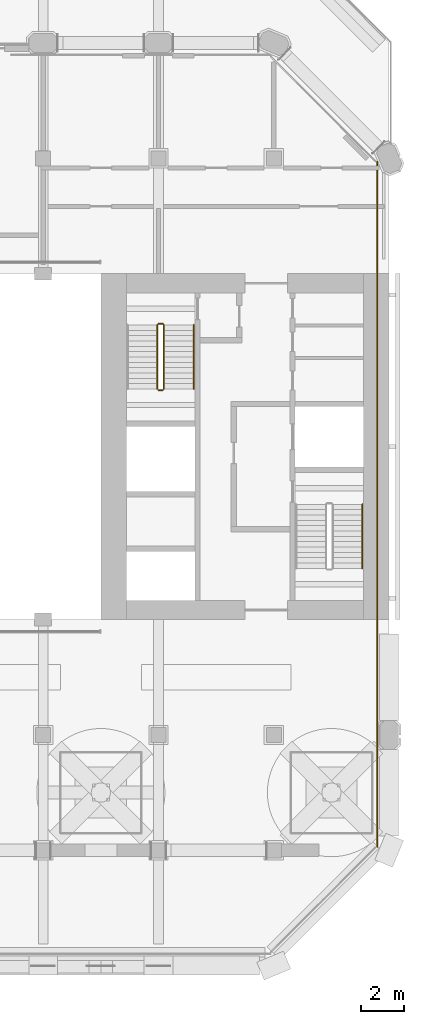
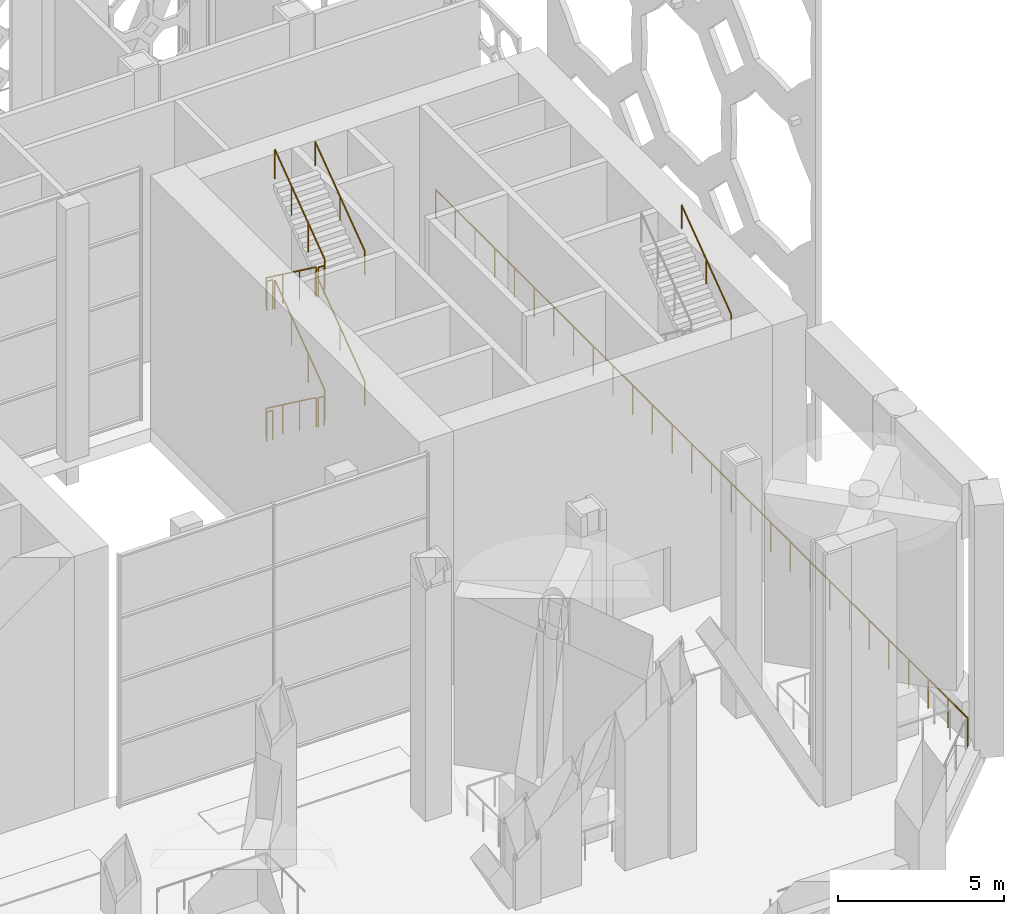
# One storey, part 25 of 28: 12 railings.
"""IFC4 building model written with IfcOpenShell, lengths in metres."""

from ifc_helpers import new_model, si_unit, direction, frame, origin, origin_2d, place, context, subcontext, project, spatial, circle, extrude, material, type_object, element, save


model = new_model("IFC4")

# Units and contexts
model_context = context("Model", 3, precision=1e-05, world=origin(), true_north=direction((0.0, 1.0)))
body_context = subcontext(model_context, "Body", "Model", "MODEL_VIEW")
ifc_project = project(units=[si_unit("LENGTHUNIT", "METRE"), si_unit("AREAUNIT", "SQUARE_METRE"), si_unit("VOLUMEUNIT", "CUBIC_METRE"), si_unit("PLANEANGLEUNIT", "RADIAN"), si_unit("MASSUNIT", "GRAM", prefix="KILO")], contexts=[model_context])

# Site, building, storey
site_placement = place(None, origin())
site = spatial("IfcSite", under=ifc_project, at=site_placement, CompositionType="ELEMENT")
building_placement = place(site_placement, origin())
building = spatial("IfcBuilding", under=site, at=building_placement, Name="Tabaq Tower and Sports Hall", CompositionType="ELEMENT")
storey_placement = place(building_placement, frame((0.0, 0.0, 233.5)))
storey = spatial("IfcBuildingStorey", under=building, at=storey_placement, Name="L59", CompositionType="ELEMENT", Elevation=233.5)

# Railings
ifc_material_1 = material(Name="Stainless steel S316 and laminated glass", Category="steel")
railing_type_1 = type_object("IfcRailingType", Name="Guard 1100 steel and glass", PredefinedType="GUARDRAIL", material=ifc_material_1)
railing_1_placement = place(storey_placement, frame((42.64990234375, 5.565673828125, 0.0)))
element("IfcRailing", 1, at=railing_1_placement, inside=storey, type_object=railing_type_1, Name="Guard L59 E", PredefinedType="GUARDRAIL", context=body_context, shape_type="SweptSolid", body=[
    extrude(circle(Radius=0.02490234375, at=origin_2d()), frame((0.0, 0.0, 1.0751953125), z_axis=(0.0, 1.0, 0.0), x_axis=(-1.0, 0.0, 0.0)), (0.0, 0.0, 1.0), 32.068603515625),
    extrude(circle(Radius=0.02001953125, at=origin_2d()), origin(), (0.0, 0.0, 1.0), 1.050048828125),
    extrude(circle(Radius=0.02001953125, at=origin_2d()), frame((0.0, 1.187744140625, 0.0)), (0.0, 0.0, 1.0), 1.050048828125),
    extrude(circle(Radius=0.02001953125, at=origin_2d()), frame((0.0, 2.37548828125, 0.0)), (0.0, 0.0, 1.0), 1.050048828125),
    extrude(circle(Radius=0.02001953125, at=origin_2d()), frame((0.0, 3.563232421875, 0.0)), (0.0, 0.0, 1.0), 1.050048828125),
    extrude(circle(Radius=0.02001953125, at=origin_2d()), frame((0.0, 4.7509765625, 0.0)), (0.0, 0.0, 1.0), 1.050048828125),
    extrude(circle(Radius=0.02001953125, at=origin_2d()), frame((0.0, 5.938720703125, 0.0)), (0.0, 0.0, 1.0), 1.050048828125),
    extrude(circle(Radius=0.02001953125, at=origin_2d()), frame((0.0, 7.12646484375, 0.0)), (0.0, 0.0, 1.0), 1.050048828125),
    extrude(circle(Radius=0.02001953125, at=origin_2d()), frame((0.0, 8.31396484375, 0.0)), (0.0, 0.0, 1.0), 1.050048828125),
    extrude(circle(Radius=0.02001953125, at=origin_2d()), frame((0.0, 9.501708984375, 0.0)), (0.0, 0.0, 1.0), 1.050048828125),
    extrude(circle(Radius=0.02001953125, at=origin_2d()), frame((0.0, 10.689453125, 0.0)), (0.0, 0.0, 1.0), 1.050048828125),
    extrude(circle(Radius=0.02001953125, at=origin_2d()), frame((0.0, 11.877197265625, 0.0)), (0.0, 0.0, 1.0), 1.050048828125),
    extrude(circle(Radius=0.02001953125, at=origin_2d()), frame((0.0, 13.06494140625, 0.0)), (0.0, 0.0, 1.0), 1.050048828125),
    extrude(circle(Radius=0.02001953125, at=origin_2d()), frame((0.0, 14.252685546875, 0.0)), (0.0, 0.0, 1.0), 1.050048828125),
    extrude(circle(Radius=0.02001953125, at=origin_2d()), frame((0.0, 15.4404296875, 0.0)), (0.0, 0.0, 1.0), 1.050048828125),
    extrude(circle(Radius=0.02001953125, at=origin_2d()), frame((0.0, 16.628173828125, 0.0)), (0.0, 0.0, 1.0), 1.050048828125),
    extrude(circle(Radius=0.02001953125, at=origin_2d()), frame((0.0, 17.81591796875, 0.0)), (0.0, 0.0, 1.0), 1.050048828125),
    extrude(circle(Radius=0.02001953125, at=origin_2d()), frame((0.0, 19.003662109375, 0.0)), (0.0, 0.0, 1.0), 1.050048828125),
    extrude(circle(Radius=0.02001953125, at=origin_2d()), frame((0.0, 20.19140625, 0.0)), (0.0, 0.0, 1.0), 1.050048828125),
    extrude(circle(Radius=0.02001953125, at=origin_2d()), frame((0.0, 21.379150390625, 0.0)), (0.0, 0.0, 1.0), 1.050048828125),
    extrude(circle(Radius=0.02001953125, at=origin_2d()), frame((0.0, 22.56689453125, 0.0)), (0.0, 0.0, 1.0), 1.050048828125),
    extrude(circle(Radius=0.02001953125, at=origin_2d()), frame((0.0, 23.754638671875, 0.0)), (0.0, 0.0, 1.0), 1.050048828125),
    extrude(circle(Radius=0.02001953125, at=origin_2d()), frame((0.0, 24.942138671875, 0.0)), (0.0, 0.0, 1.0), 1.050048828125),
    extrude(circle(Radius=0.02001953125, at=origin_2d()), frame((0.0, 26.1298828125, 0.0)), (0.0, 0.0, 1.0), 1.050048828125),
    extrude(circle(Radius=0.02001953125, at=origin_2d()), frame((0.0, 27.317626953125, 0.0)), (0.0, 0.0, 1.0), 1.050048828125),
    extrude(circle(Radius=0.02001953125, at=origin_2d()), frame((0.0, 28.50537109375, 0.0)), (0.0, 0.0, 1.0), 1.050048828125),
    extrude(circle(Radius=0.02001953125, at=origin_2d()), frame((0.0, 29.693115234375, 0.0)), (0.0, 0.0, 1.0), 1.050048828125),
    extrude(circle(Radius=0.02001953125, at=origin_2d()), frame((0.0, 30.880859375, 0.0)), (0.0, 0.0, 1.0), 1.050048828125),
    extrude(circle(Radius=0.02001953125, at=origin_2d()), frame((0.0, 32.068603515625, 0.0)), (0.0, 0.0, 1.0), 1.050048828125),
])
ifc_material_2 = material(Name="Stainless steel", Category="steel")
railing_type_2 = type_object("IfcRailingType", Name="Stair guard", PredefinedType="GUARDRAIL", material=ifc_material_2)
railing_2_placement = place(storey_placement, frame((32.35009765625, 30.0, 0.1845703125)))
element("IfcRailing", 2, at=railing_2_placement, inside=storey, type_object=railing_type_2, Name="L59 ST4 stair guard 1", PredefinedType="GUARDRAIL", context=body_context, shape_type="SweptSolid", body=[
    extrude(circle(Radius=0.02392578125, at=origin_2d()), frame((0.0, 0.0, 1.076171875), z_axis=(0.0, -0.804440004972, 0.594033903411), x_axis=(1.0, 0.0, 0.0)), (0.0, 0.0, 1.0), 3.729248046875),
    extrude(circle(Radius=0.02099609375, at=origin_2d()), origin(), (0.0, 0.0, 1.0), 1.052001953125),
    extrude(circle(Radius=0.02099609375, at=origin_2d()), frame((0.0, -1.0, 0.738525390625)), (0.0, 0.0, 1.0), 1.052001953125),
    extrude(circle(Radius=0.02099609375, at=origin_2d()), frame((0.0, -2.0, 1.476806640625)), (0.0, 0.0, 1.0), 1.052001953125),
    extrude(circle(Radius=0.02099609375, at=origin_2d()), frame((0.0, -3.0, 2.21533203125)), (0.0, 0.0, 1.0), 1.052001953125),
])
railing_3_placement = place(storey_placement, frame((32.39990234375, 26.949951171875, 2.39990234375)))
element("IfcRailing", 3, at=railing_3_placement, inside=storey, type_object=railing_type_2, Name="L59 ST4 stair guard 2", PredefinedType="GUARDRAIL", context=body_context, shape_type="SweptSolid", body=[
    extrude(circle(Radius=0.02392578125, at=origin_2d()), frame((0.0, 0.0, 1.076171875), z_axis=(1.0, 0.0, 0.0), x_axis=(0.0, 1.0, 0.0)), (0.0, 0.0, 1.0), 0.2001953125),
    extrude(circle(Radius=0.02099609375, at=origin_2d()), origin(), (0.0, 0.0, 1.0), 1.052001953125),
    extrude(circle(Radius=0.02099609375, at=origin_2d()), frame((0.2001953125, 0.0, 0.0)), (0.0, 0.0, 1.0), 1.052001953125),
])
railing_4_placement = place(storey_placement, frame((32.64990234375, 27.0, 2.584716796875)))
element("IfcRailing", 4, at=railing_4_placement, inside=storey, type_object=railing_type_2, Name="L59 ST4 stair guard 3", PredefinedType="GUARDRAIL", context=body_context, shape_type="SweptSolid", body=[
    extrude(circle(Radius=0.02392578125, at=origin_2d()), frame((0.0, 0.0, 1.076171875), z_axis=(0.0, 0.804440004972, 0.594033903411), x_axis=(-1.0, 0.0, 0.0)), (0.0, 0.0, 1.0), 3.729248046875),
    extrude(circle(Radius=0.02099609375, at=origin_2d()), origin(), (0.0, 0.0, 1.0), 1.052001953125),
    extrude(circle(Radius=0.02099609375, at=origin_2d()), frame((0.0, 1.0, 0.738525390625)), (0.0, 0.0, 1.0), 1.052001953125),
    extrude(circle(Radius=0.02099609375, at=origin_2d()), frame((0.0, 2.0, 1.476806640625)), (0.0, 0.0, 1.0), 1.052001953125),
    extrude(circle(Radius=0.02099609375, at=origin_2d()), frame((0.0, 3.0, 2.21533203125)), (0.0, 0.0, 1.0), 1.052001953125),
])
railing_5_placement = place(storey_placement, frame((32.39990234375, 30.050048828125, 4.800048828125)))
element("IfcRailing", 5, at=railing_5_placement, inside=storey, type_object=railing_type_2, Name="L59 ST4 stair guard 4", PredefinedType="GUARDRAIL", context=body_context, shape_type="SweptSolid", body=[
    extrude(circle(Radius=0.02392578125, at=origin_2d()), frame((0.0, 0.0, 1.076171875), z_axis=(1.0, 0.0, 0.0), x_axis=(0.0, 1.0, 0.0)), (0.0, 0.0, 1.0), 0.2001953125),
    extrude(circle(Radius=0.02099609375, at=origin_2d()), origin(), (0.0, 0.0, 1.0), 1.052001953125),
    extrude(circle(Radius=0.02099609375, at=origin_2d()), frame((0.2001953125, 0.0, 0.0)), (0.0, 0.0, 1.0), 1.052001953125),
])
railing_6_placement = place(storey_placement, frame((32.35009765625, 30.0, 4.984619140625)))
element("IfcRailing", 6, at=railing_6_placement, inside=storey, type_object=railing_type_2, Name="L59 ST4 stair guard 5", PredefinedType="GUARDRAIL", context=body_context, shape_type="SweptSolid", body=[
    extrude(circle(Radius=0.02392578125, at=origin_2d()), frame((0.0, 0.0, 1.076171875), z_axis=(0.0, -0.804440004972, 0.594033903411), x_axis=(1.0, 0.0, 0.0)), (0.0, 0.0, 1.0), 3.729248046875),
    extrude(circle(Radius=0.02099609375, at=origin_2d()), origin(), (0.0, 0.0, 1.0), 1.052001953125),
    extrude(circle(Radius=0.02099609375, at=origin_2d()), frame((0.0, -1.0, 0.738525390625)), (0.0, 0.0, 1.0), 1.052001953125),
    extrude(circle(Radius=0.02099609375, at=origin_2d()), frame((0.0, -2.0, 1.476806640625)), (0.0, 0.0, 1.0), 1.052001953125),
    extrude(circle(Radius=0.02099609375, at=origin_2d()), frame((0.0, -3.0, 2.21533203125)), (0.0, 0.0, 1.0), 1.052001953125),
])
railing_7_placement = place(storey_placement, frame((32.39990234375, 26.949951171875, 7.199951171875)))
element("IfcRailing", 7, at=railing_7_placement, inside=storey, type_object=railing_type_2, Name="L59 ST4 stair guard 6", PredefinedType="GUARDRAIL", context=body_context, shape_type="SweptSolid", body=[
    extrude(circle(Radius=0.02392578125, at=origin_2d()), frame((0.0, 0.0, 1.076171875), z_axis=(1.0, 0.0, 0.0), x_axis=(0.0, 1.0, 0.0)), (0.0, 0.0, 1.0), 0.2001953125),
    extrude(circle(Radius=0.02099609375, at=origin_2d()), origin(), (0.0, 0.0, 1.0), 1.052001953125),
    extrude(circle(Radius=0.02099609375, at=origin_2d()), frame((0.2001953125, 0.0, 0.0)), (0.0, 0.0, 1.0), 1.052001953125),
])
railing_8_placement = place(storey_placement, frame((32.64990234375, 27.0, 7.384521484375)))
element("IfcRailing", 8, at=railing_8_placement, inside=storey, type_object=railing_type_2, Name="L59 ST4 stair guard 7", PredefinedType="GUARDRAIL", context=body_context, shape_type="SweptSolid", body=[
    extrude(circle(Radius=0.02392578125, at=origin_2d()), frame((0.0, 0.0, 1.076171875), z_axis=(0.0, 0.804408721428, 0.594076265214), x_axis=(-1.0, 0.0, 0.0)), (0.0, 0.0, 1.0), 3.7294921875),
    extrude(circle(Radius=0.02099609375, at=origin_2d()), origin(), (0.0, 0.0, 1.0), 1.052001953125),
    extrude(circle(Radius=0.02099609375, at=origin_2d()), frame((0.0, 1.0, 0.738525390625)), (0.0, 0.0, 1.0), 1.052001953125),
    extrude(circle(Radius=0.02099609375, at=origin_2d()), frame((0.0, 2.0, 1.47705078125)), (0.0, 0.0, 1.0), 1.052001953125),
    extrude(circle(Radius=0.02099609375, at=origin_2d()), frame((0.0, 3.0, 2.215576171875)), (0.0, 0.0, 1.0), 1.052001953125),
])
railing_9_placement = place(storey_placement, frame((32.39990234375, 30.050048828125, 0.0)))
element("IfcRailing", 9, at=railing_9_placement, inside=storey, type_object=railing_type_2, Name="L59 ST4 stair guard 8", PredefinedType="GUARDRAIL", context=body_context, shape_type="SweptSolid", body=[
    extrude(circle(Radius=0.02392578125, at=origin_2d()), frame((0.0, 0.0, 1.076171875), z_axis=(1.0, 0.0, 0.0), x_axis=(0.0, 1.0, 0.0)), (0.0, 0.0, 1.0), 0.2001953125),
    extrude(circle(Radius=0.02099609375, at=origin_2d()), origin(), (0.0, 0.0, 1.0), 1.052001953125),
    extrude(circle(Radius=0.02099609375, at=origin_2d()), frame((0.2001953125, 0.0, 0.0)), (0.0, 0.0, 1.0), 1.052001953125),
])
ifc_material_3 = material(Name="Stainless steel", Category="steel")
railing_type_3 = type_object("IfcRailingType", Name="Stair handrail", PredefinedType="HANDRAIL", material=ifc_material_3)
railing_10_placement = place(storey_placement, frame((41.949951171875, 18.60009765625, 7.384521484375)))
element("IfcRailing", 10, at=railing_10_placement, inside=storey, type_object=railing_type_3, Name="L59 ST3 stair handrail 4", PredefinedType="HANDRAIL", context=body_context, shape_type="SweptSolid", body=[
    extrude(circle(Radius=0.02392578125, at=origin_2d()), frame((0.0, 0.0, 0.8759765625), z_axis=(0.0, 0.804408721428, 0.594076265214), x_axis=(-1.0, 0.0, 0.0)), (0.0, 0.0, 1.0), 3.7294921875),
    extrude(circle(Radius=0.02099609375, at=origin_2d()), origin(), (0.0, 0.0, 1.0), 0.851806640625),
    extrude(circle(Radius=0.02099609375, at=origin_2d()), frame((0.0, 1.5, 1.10791015625)), (0.0, 0.0, 1.0), 0.851806640625),
    extrude(circle(Radius=0.02099609375, at=origin_2d()), frame((0.0, 3.0, 2.215576171875)), (0.0, 0.0, 1.0), 0.851806640625),
])
railing_11_placement = place(storey_placement, frame((34.050048828125, 27.0, 2.584716796875)))
element("IfcRailing", 11, at=railing_11_placement, inside=storey, type_object=railing_type_3, Name="L59 ST4 stair handrail 2", PredefinedType="HANDRAIL", context=body_context, shape_type="SweptSolid", body=[
    extrude(circle(Radius=0.02392578125, at=origin_2d()), frame((0.0, 0.0, 0.8759765625), z_axis=(0.0, 0.804440004972, 0.594033903411), x_axis=(-1.0, 0.0, 0.0)), (0.0, 0.0, 1.0), 3.729248046875),
    extrude(circle(Radius=0.02099609375, at=origin_2d()), origin(), (0.0, 0.0, 1.0), 0.851806640625),
    extrude(circle(Radius=0.02099609375, at=origin_2d()), frame((0.0, 1.5, 1.107666015625)), (0.0, 0.0, 1.0), 0.851806640625),
    extrude(circle(Radius=0.02099609375, at=origin_2d()), frame((0.0, 3.0, 2.21533203125)), (0.0, 0.0, 1.0), 0.851806640625),
])
railing_12_placement = place(storey_placement, frame((34.050048828125, 27.0, 7.384521484375)))
element("IfcRailing", 12, at=railing_12_placement, inside=storey, type_object=railing_type_3, Name="L59 ST4 stair handrail 4", PredefinedType="HANDRAIL", context=body_context, shape_type="SweptSolid", body=[
    extrude(circle(Radius=0.02392578125, at=origin_2d()), frame((0.0, 0.0, 0.8759765625), z_axis=(0.0, 0.804408721428, 0.594076265214), x_axis=(-1.0, 0.0, 0.0)), (0.0, 0.0, 1.0), 3.7294921875),
    extrude(circle(Radius=0.02099609375, at=origin_2d()), origin(), (0.0, 0.0, 1.0), 0.851806640625),
    extrude(circle(Radius=0.02099609375, at=origin_2d()), frame((0.0, 1.5, 1.10791015625)), (0.0, 0.0, 1.0), 0.851806640625),
    extrude(circle(Radius=0.02099609375, at=origin_2d()), frame((0.0, 3.0, 2.215576171875)), (0.0, 0.0, 1.0), 0.851806640625),
])

save(model, "model.ifc")
